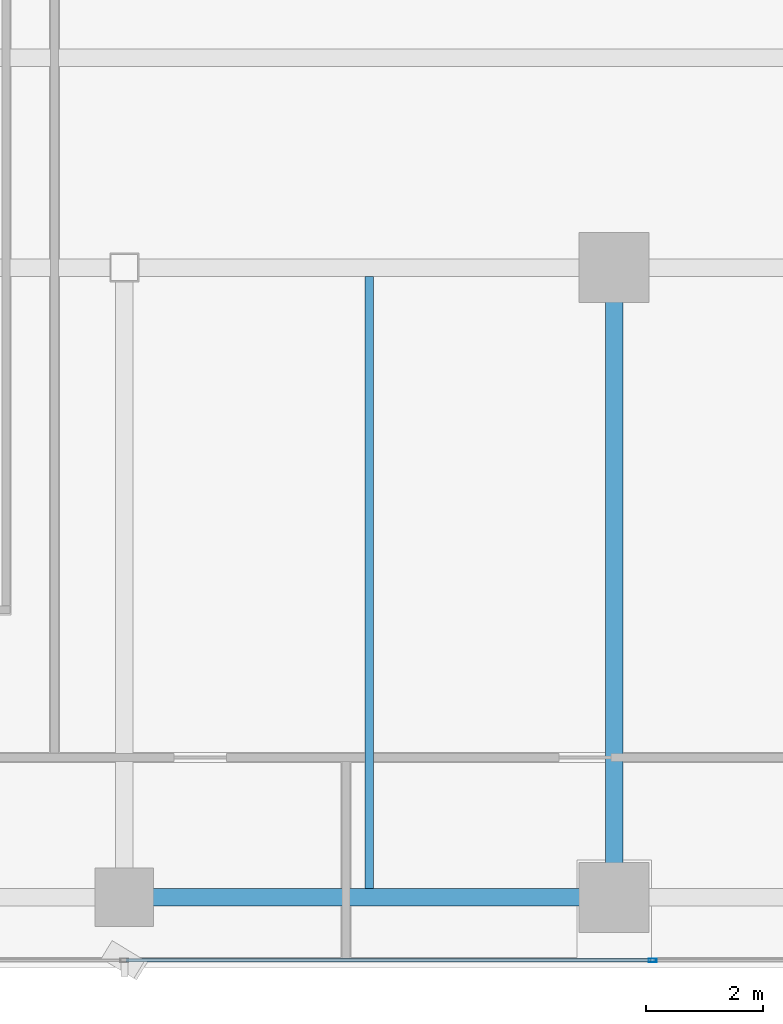
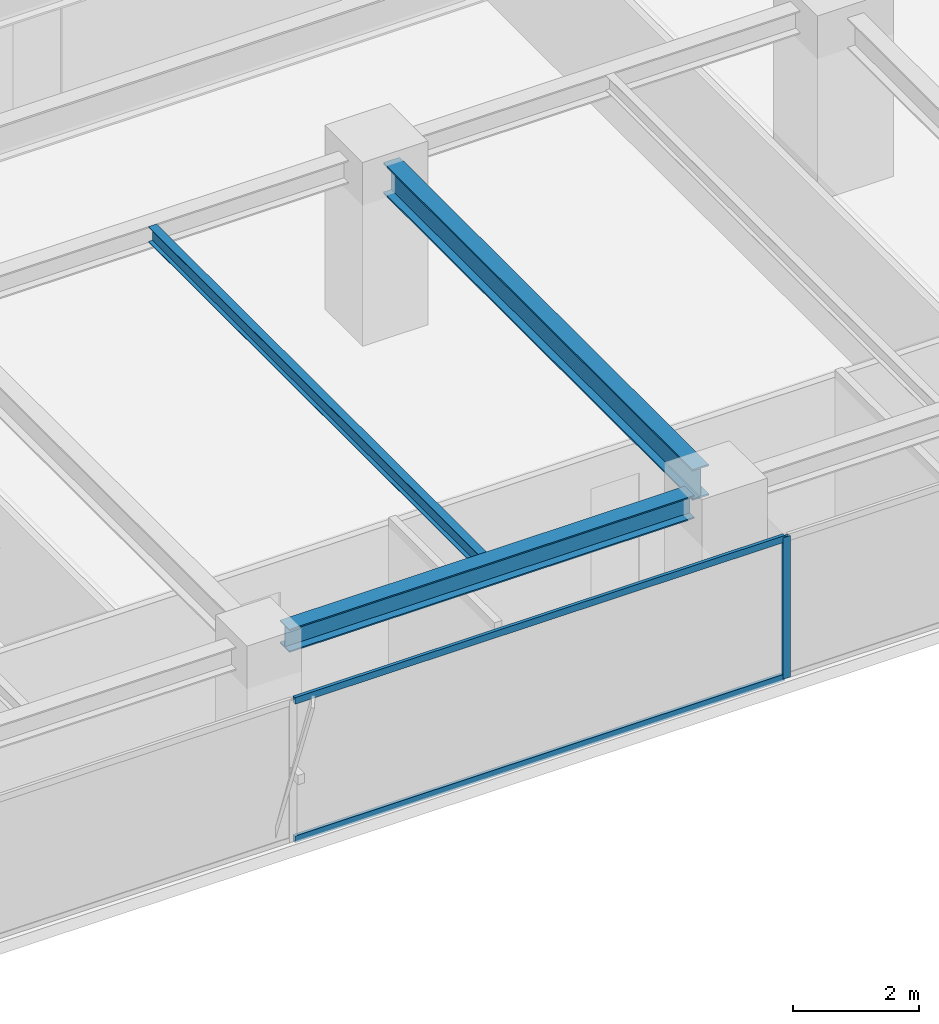
# One storey, part 7 of 25: 3 beams, 3 members, 1 element without a shape of its own.
"""IFC4 building model written with IfcOpenShell, lengths in metres."""

from ifc_helpers import new_model, si_unit, direction, frame, origin, origin_2d, place, context, subcontext, project, spatial, hollow_rectangle, i_section, extrude, source, transform, mapped, material, layer, layer_set, material_profile, profile_set, type_object, element, aggregate, save


model = new_model("IFC4")

# Units and contexts
model_context = context("Model", 3, precision=1e-05, world=origin(), true_north=direction((0.0, 1.0)))
body_context = subcontext(model_context, "Body", "Model", "MODEL_VIEW")
ifc_project = project(units=[si_unit("LENGTHUNIT", "METRE"), si_unit("AREAUNIT", "SQUARE_METRE"), si_unit("VOLUMEUNIT", "CUBIC_METRE"), si_unit("PLANEANGLEUNIT", "RADIAN"), si_unit("MASSUNIT", "GRAM", prefix="KILO")], contexts=[model_context])

# Site, building, storey
site_placement = place(None, origin())
site = spatial("IfcSite", under=ifc_project, at=site_placement, CompositionType="ELEMENT")
building_placement = place(site_placement, origin())
building = spatial("IfcBuilding", under=site, at=building_placement, Name="Sumidabori Civic Tower", CompositionType="ELEMENT")
storey_placement = place(building_placement, frame((0.0, 0.0, 239.60009765625)))
storey = spatial("IfcBuildingStorey", under=building, at=storey_placement, Name="L62", CompositionType="ELEMENT", Elevation=239.60009765625)

# Beams
ifc_material_1 = material(Name="Steel SN490", Category="steel")
ifc_material_profile_1 = material_profile(ifc_material_1, i_section(OverallWidth=0.300048828125, OverallDepth=0.60009765625, WebThickness=0.015380859375, FlangeThickness=0.030029296875, at=origin_2d()), Name="HE 600 B")
ifc_profile_set_1 = profile_set([ifc_material_profile_1], Name="Steel SN490")
beam_type_1 = type_object("IfcBeamType", Name="BM-GIRD-600", PredefinedType="BEAM", material=ifc_profile_set_1)
shared_shape_1 = source(origin(), body_context, "Body", "SweptSolid", [
    extrude(i_section(OverallWidth=0.300048828125, OverallDepth=0.60009765625, WebThickness=0.015380859375, FlangeThickness=0.030029296875, at=origin_2d()), origin(), (0.0, 0.0, 1.0), 9.840087890625),
])
beam_1_placement = place(storey_placement, frame((8.39990234375, -10.320068359375, 3.06982421875), z_axis=(0.0, 1.0, 0.0), x_axis=(-1.0, 0.0, 0.0)))
element("IfcBeam", 1, at=beam_1_placement, inside=storey, type_object=beam_type_1, Name="Primary Girder L62 GY-14", PredefinedType="BEAM", context=body_context, shape_type="MappedRepresentation", body=[
    mapped(shared_shape_1, transform((0.0, 0.0, 0.0), x_axis=(1.0, 0.0, 0.0), y_axis=(0.0, 1.0, 0.0), z_axis=(0.0, 0.0, 1.0), scale=1.0)),
])
ifc_material_profile_2 = material_profile(ifc_material_1, i_section(OverallWidth=0.300048828125, OverallDepth=0.449951171875, WebThickness=0.013916015625, FlangeThickness=0.02587890625, at=origin_2d()), Name="HE 450 B")
ifc_profile_set_2 = profile_set([ifc_material_profile_2], Name="Steel SN490")
beam_type_2 = type_object("IfcBeamType", Name="BM-GIRD-450", PredefinedType="BEAM", material=ifc_profile_set_2)
shared_shape_2 = source(origin(), body_context, "Body", "SweptSolid", [
    extrude(i_section(OverallWidth=0.300048828125, OverallDepth=0.449951171875, WebThickness=0.013916015625, FlangeThickness=0.02587890625, at=origin_2d()), origin(), (0.0, 0.0, 1.0), 7.43994140625),
])
beam_2_placement = place(storey_placement, frame((0.47998046875, -10.800048828125, 3.14501953125), z_axis=(1.0, 0.0, 0.0), x_axis=(0.0, 1.0, 0.0)))
element("IfcBeam", 2, at=beam_2_placement, inside=storey, type_object=beam_type_2, Name="Primary Girder L62 GX-03", PredefinedType="BEAM", context=body_context, shape_type="MappedRepresentation", body=[
    mapped(shared_shape_2, transform((0.0, 0.0, 0.0), x_axis=(1.0, 0.0, 0.0), y_axis=(0.0, 1.0, 0.0), z_axis=(0.0, 0.0, 1.0), scale=1.0)),
])
ifc_material_profile_3 = material_profile(ifc_material_1, i_section(OverallWidth=0.14990234375, OverallDepth=0.300048828125, WebThickness=0.007080078125, FlangeThickness=0.0107421875, at=origin_2d()), Name="IPE 300")
ifc_profile_set_3 = profile_set([ifc_material_profile_3], Name="Steel SN490")
beam_type_3 = type_object("IfcBeamType", Name="BM-JST-300", PredefinedType="JOIST", material=ifc_profile_set_3)
shared_shape_3 = source(origin(), body_context, "Body", "SweptSolid", [
    extrude(i_section(OverallWidth=0.14990234375, OverallDepth=0.300048828125, WebThickness=0.007080078125, FlangeThickness=0.0107421875, at=origin_2d()), origin(), (0.0, 0.0, 1.0), 10.5),
])
beam_3_placement = place(storey_placement, frame((4.199951171875, -10.64990234375, 3.219970703125), z_axis=(0.0, 1.0, 0.0), x_axis=(-1.0, 0.0, 0.0)))
element("IfcBeam", 3, at=beam_3_placement, inside=storey, type_object=beam_type_3, Name="Upper Lens N-S Floor Joist L62 JSTV-22", PredefinedType="JOIST", context=body_context, shape_type="MappedRepresentation", body=[
    mapped(shared_shape_3, transform((0.0, 0.0, 0.0), x_axis=(1.0, 0.0, 0.0), y_axis=(0.0, 1.0, 0.0), z_axis=(0.0, 0.0, 1.0), scale=1.0)),
])

# Curtain wall, members
ifc_material_2 = material(Name="Anodised Bronze Aluminium AW-6063-T6", Category="aluminium")
ifc_layer = layer(ifc_material_2, 0.179931640625, Name="Anodised Bronze Aluminium AW-6063-T6")
ifc_layer_set = layer_set([ifc_layer], Name="Anodised Bronze Aluminium AW-6063-T6")
curtain_wall_type = type_object("IfcCurtainWallType", Name="CW-SYS-5", PredefinedType="NOTDEFINED", material=ifc_layer_set)
curtain_wall_placement = place(storey_placement, origin())
curtain_wall = element("IfcCurtainWall", 4, at=curtain_wall_placement, inside=storey, type_object=curtain_wall_type, Name="Curtain Wall CW:L62:R01", PredefinedType="NOTDEFINED")
ifc_material_profile_4 = material_profile(ifc_material_2, hollow_rectangle(XDim=0.06005859375, YDim=0.139892578125, WallThickness=0.0048828125, at=origin_2d()), Name="ALU MULLION 140x60")
ifc_profile_set_4 = profile_set([ifc_material_profile_4], Name="Anodised Bronze Aluminium AW-6063-T6")
member_type_1 = type_object("IfcMemberType", Name="CW-MUL-140", PredefinedType="MULLION", material=ifc_profile_set_4)
shared_shape_4 = source(origin(), body_context, "Body", "SweptSolid", [
    extrude(hollow_rectangle(XDim=0.06005859375, YDim=0.139892578125, WallThickness=0.0048828125, at=origin_2d()), origin(), (0.0, 0.0, 1.0), 2.75),
])
member_1_placement = place(storey_placement, frame((9.06005859375, -11.8798828125, 0.0), z_axis=(0.0, 0.0, 1.0), x_axis=(0.0, 1.0, 0.0)))
member_1 = element("IfcMember", 5, at=member_1_placement, type_object=member_type_1, Name="CW-5 mullion 4", PredefinedType="MULLION", context=body_context, shape_type="MappedRepresentation", body=[
    mapped(shared_shape_4, transform((0.0, 0.0, 0.0), x_axis=(1.0, 0.0, 0.0), y_axis=(0.0, 1.0, 0.0), z_axis=(0.0, 0.0, 1.0), scale=1.0)),
])
ifc_material_profile_5 = material_profile(ifc_material_2, hollow_rectangle(XDim=0.06005859375, YDim=0.1298828125, WallThickness=0.0048828125, at=origin_2d()), Name="ALU TRANSOM 130x60")
ifc_profile_set_5 = profile_set([ifc_material_profile_5], Name="Anodised Bronze Aluminium AW-6063-T6")
member_type_2 = type_object("IfcMemberType", Name="CW-TRN-130", PredefinedType="USERDEFINED", material=ifc_profile_set_5)
shared_shape_5 = source(origin(), body_context, "Body", "SweptSolid", [
    extrude(hollow_rectangle(XDim=0.06005859375, YDim=0.1298828125, WallThickness=0.0048828125, at=origin_2d()), origin(), (0.0, 0.0, 1.0), 9.0),
])
member_2_placement = place(storey_placement, frame((0.030029296875, -11.8798828125, 0.02978515625), z_axis=(1.0, 0.0, 0.0), x_axis=(0.0, 1.0, 0.0)))
member_2 = element("IfcMember", 6, at=member_2_placement, type_object=member_type_2, Name="CW-5 transom 3.1", ObjectType="TRANSOM", PredefinedType="USERDEFINED", context=body_context, shape_type="MappedRepresentation", body=[
    mapped(shared_shape_5, transform((0.0, 0.0, 0.0), x_axis=(1.0, 0.0, 0.0), y_axis=(0.0, 1.0, 0.0), z_axis=(0.0, 0.0, 1.0), scale=1.0)),
])
member_3_placement = place(storey_placement, frame((0.030029296875, -11.8798828125, 2.719970703125), z_axis=(1.0, 0.0, 0.0), x_axis=(0.0, 1.0, 0.0)))
member_3 = element("IfcMember", 7, at=member_3_placement, type_object=member_type_2, Name="CW-5 transom 3.2", ObjectType="TRANSOM", PredefinedType="USERDEFINED", context=body_context, shape_type="MappedRepresentation", body=[
    mapped(shared_shape_5, transform((0.0, 0.0, 0.0), x_axis=(1.0, 0.0, 0.0), y_axis=(0.0, 1.0, 0.0), z_axis=(0.0, 0.0, 1.0), scale=1.0)),
])
aggregate(curtain_wall, [member_1, member_2, member_3])

save(model, "model.ifc")
